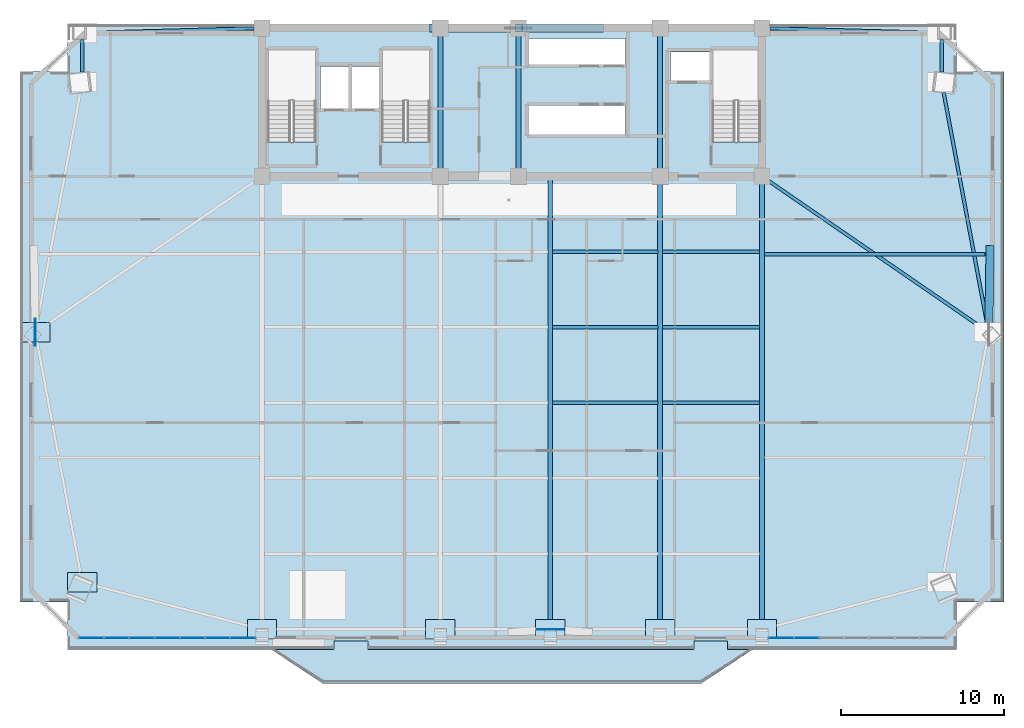
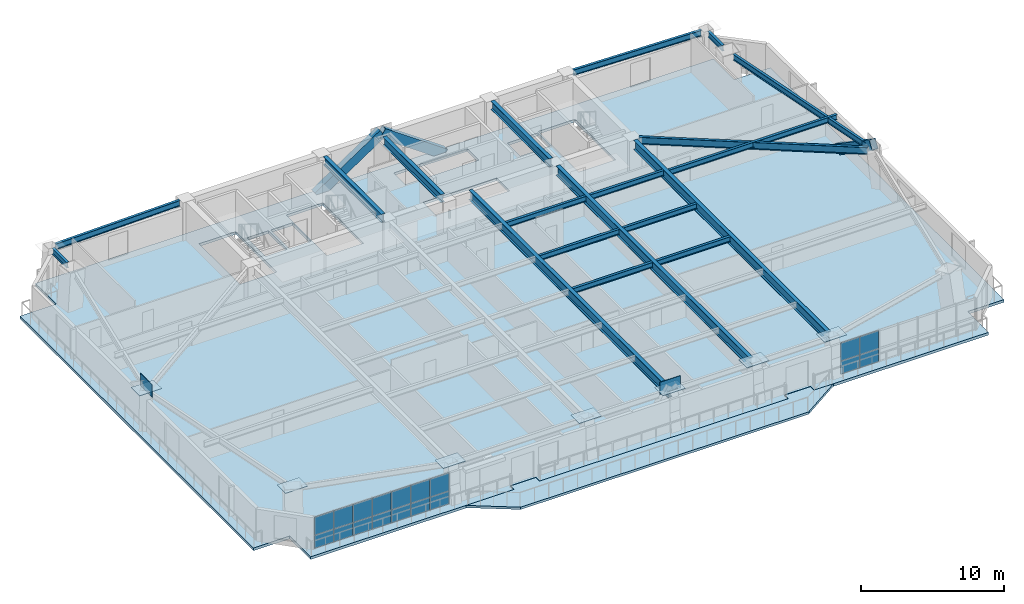
# One storey, part 6 of 16: 27 plates, 19 beams, 3 members, 2 slabs, 2 elements without a shape of their own.
"""IFC4 building model written with IfcOpenShell, lengths in metres."""

import ifcopenshell
import ifcopenshell.guid

model = None  # the IFC model being written
_history = None  # IfcOwnerHistory: only IFC2X3 demands one
_inside = {}  # id of a spatial element -> (the spatial element, [elements in it])
_under = {}  # id of a project, library or spatial element -> (it, [spatial elements below it])
_declared = {}  # id of a project -> (the project, [libraries it declares])
_typed = {}  # id of a type object -> (the type object, [elements of that type])
_made_of = {}  # id of a material, layer set ... -> (it, [elements and type objects made of it])


def new_model(schema):
    """Start an empty IFC model of exactly this schema.

    Asked for "IFC4X3", IfcOpenShell would pick the latest addendum, in which some entities
    have other attributes; the version numbers below select the first issue.
    IFC2X3 requires an IfcOwnerHistory on every rooted entity: one is made here for all.
    """
    global model, _history
    if schema == "IFC4X3":
        model = ifcopenshell.file(schema_version=(4, 3, 0, 0))
    else:
        model = ifcopenshell.file(schema=schema)
    _inside.clear()
    _under.clear()
    _declared.clear()
    _typed.clear()
    _made_of.clear()
    _history = None
    if model.schema == "IFC2X3":
        org = make("IfcOrganization", Name="unknown")
        user = make(
            "IfcPersonAndOrganization",
            ThePerson=make("IfcPerson", FamilyName="unknown"),
            TheOrganization=org,
        )
        app = make(
            "IfcApplication",
            ApplicationDeveloper=org,
            Version="unknown",
            ApplicationFullName="unknown",
            ApplicationIdentifier="unknown",
        )
        _history = make(
            "IfcOwnerHistory",
            OwningUser=user,
            OwningApplication=app,
            ChangeAction="ADDED",
            CreationDate=0,
        )
    return model


def make(cls, **values):
    """One entity of the class cls with the attributes given. An attribute that is None is left unset."""
    return model.create_entity(
        cls, **{name: value for name, value in values.items() if value is not None}
    )


def rooted(cls, **values):
    """An entity with a GlobalId (a new one), such as an element, a storey or a relation."""
    return make(cls, GlobalId=ifcopenshell.guid.new(), OwnerHistory=_history, **values)


def si_unit(unit_type, name, prefix=None):
    """IfcSIUnit, for example si_unit("LENGTHUNIT", "METRE", prefix="MILLI")."""
    return make("IfcSIUnit", UnitType=unit_type, Prefix=prefix, Name=name)


def assignment(units):
    """IfcUnitAssignment: the units of a project."""
    return None if units is None else make("IfcUnitAssignment", Units=units)


def point(xyz):
    """IfcCartesianPoint."""
    return None if xyz is None else make("IfcCartesianPoint", Coordinates=xyz)


def direction(xyz):
    """IfcDirection."""
    return None if xyz is None else make("IfcDirection", DirectionRatios=xyz)


def frame(location, z_axis=None, x_axis=None):
    """IfcAxis2Placement3D, a coordinate frame: its origin and axes. An axis left out is left unset."""
    return make(
        "IfcAxis2Placement3D",
        Location=point(location),
        Axis=direction(z_axis),
        RefDirection=direction(x_axis),
    )


def frame_2d(location, x_axis=None):
    """IfcAxis2Placement2D, a coordinate frame in the plane: its origin and x axis."""
    return make(
        "IfcAxis2Placement2D", Location=point(location), RefDirection=direction(x_axis)
    )


def origin():
    """The frame at (0, 0, 0) with its axes left unset."""
    return frame((0.0, 0.0, 0.0))


def origin_2d():
    """The frame at (0, 0) in the plane with its x axis left unset."""
    return frame_2d((0.0, 0.0))


def place(relative_to, where):
    """IfcLocalPlacement: puts the frame where relative to a parent placement (None: the world)."""
    return make(
        "IfcLocalPlacement", PlacementRelTo=relative_to, RelativePlacement=where
    )


def context(
    kind, dimensions, precision=None, world=None, true_north=None, identifier=None
):
    """IfcGeometricRepresentationContext, for example the 3D "Model" context."""
    return make(
        "IfcGeometricRepresentationContext",
        ContextIdentifier=identifier,
        ContextType=kind,
        CoordinateSpaceDimension=dimensions,
        Precision=precision,
        WorldCoordinateSystem=world,
        TrueNorth=true_north,
    )


def subcontext(parent, identifier, kind, view, scale=None):
    """IfcGeometricRepresentationSubContext, for example "Body" below "Model"."""
    return make(
        "IfcGeometricRepresentationSubContext",
        ContextIdentifier=identifier,
        ContextType=kind,
        ParentContext=parent,
        TargetScale=scale,
        TargetView=view,
    )


def project(units=None, contexts=None):
    """IfcProject with its units and contexts."""
    return rooted(
        "IfcProject",
        Name="project",
        RepresentationContexts=contexts,
        UnitsInContext=assignment(units),
    )


def spatial(cls, under=None, at=None, **own):
    """A site, building, storey or space (cls), placed at a placement, below another one or the project."""
    s = rooted(cls, ObjectPlacement=at, **own)
    if under is not None:
        _under.setdefault(under.id(), (under, []))[1].append(s)
    return s


def polyline(points):
    """IfcPolyline through the points."""
    return make("IfcPolyline", Points=[point(p) for p in points])


def profile(cls, at=None, kind="AREA", **sizes):
    """A parametric profile (cls). Its sizes go by their IFC names, for example OverallWidth=200.0."""
    return make(cls, ProfileType=kind, Position=at, **sizes)


def rectangle(**sizes):
    """IfcRectangleProfileDef."""
    return profile("IfcRectangleProfileDef", **sizes)


def hollow_rectangle(**sizes):
    """IfcRectangleHollowProfileDef."""
    return profile("IfcRectangleHollowProfileDef", **sizes)


def i_section(**sizes):
    """IfcIShapeProfileDef."""
    return profile("IfcIShapeProfileDef", **sizes)


def outline(outer, holes=None, kind="AREA"):
    """IfcArbitraryClosedProfileDef: a profile drawn as a closed curve; with holes, ...WithVoids."""
    if holes is None:
        return make("IfcArbitraryClosedProfileDef", ProfileType=kind, OuterCurve=outer)
    return make(
        "IfcArbitraryProfileDefWithVoids",
        ProfileType=kind,
        OuterCurve=outer,
        InnerCurves=holes,
    )


def extrude(swept, where, along, depth):
    """IfcExtrudedAreaSolid: the profile swept, set in the frame where, extruded along a direction by depth."""
    return make(
        "IfcExtrudedAreaSolid",
        SweptArea=swept,
        Position=where,
        ExtrudedDirection=direction(along),
        Depth=depth,
    )


def shape(context_of_items, identifier, shape_type, items):
    """IfcShapeRepresentation: the items that make up one representation, for example the "Body"."""
    return make(
        "IfcShapeRepresentation",
        ContextOfItems=context_of_items,
        RepresentationIdentifier=identifier,
        RepresentationType=shape_type,
        Items=items,
    )


def source(mapping_origin, context_of_items, identifier, shape_type, items):
    """IfcRepresentationMap: a shape defined once, which mapped items show again and again."""
    return make(
        "IfcRepresentationMap",
        MappingOrigin=mapping_origin,
        MappedRepresentation=shape(context_of_items, identifier, shape_type, items),
    )


def transform(
    local_origin,
    x_axis=None,
    y_axis=None,
    z_axis=None,
    scale=None,
    scale2=None,
    scale3=None,
    uniform=True,
):
    """IfcCartesianTransformationOperator3D, or its non-uniform kind. x_axis, y_axis, z_axis: its Axis1, 2, 3."""
    if uniform:
        return make(
            "IfcCartesianTransformationOperator3D",
            Axis1=direction(x_axis),
            Axis2=direction(y_axis),
            LocalOrigin=point(local_origin),
            Scale=scale,
            Axis3=direction(z_axis),
        )
    return make(
        "IfcCartesianTransformationOperator3DnonUniform",
        Axis1=direction(x_axis),
        Axis2=direction(y_axis),
        LocalOrigin=point(local_origin),
        Scale=scale,
        Axis3=direction(z_axis),
        Scale2=scale2,
        Scale3=scale3,
    )


def mapped(mapping_source, mapping_target):
    """IfcMappedItem: shows the shape of a source again, moved by a transform."""
    return make(
        "IfcMappedItem", MappingSource=mapping_source, MappingTarget=mapping_target
    )


def material(Name=None, Category=None):
    """IfcMaterial."""
    return make("IfcMaterial", Name=Name, Category=Category)


def layer(
    of_material, thickness, ventilated=None, Name=None, Category=None, Priority=None
):
    """IfcMaterialLayer: one layer of a wall or slab, of a material (None: an air gap)."""
    return make(
        "IfcMaterialLayer",
        Material=of_material,
        LayerThickness=thickness,
        IsVentilated=ventilated,
        Name=Name,
        Category=Category,
        Priority=Priority,
    )


def layer_set(layers, Name=None):
    """IfcMaterialLayerSet."""
    return make("IfcMaterialLayerSet", MaterialLayers=layers, LayerSetName=Name)


def material_profile(
    of_material, cross_section, Name=None, Category=None, Priority=None
):
    """IfcMaterialProfile: a cross section and its material."""
    return make(
        "IfcMaterialProfile",
        Name=Name,
        Material=of_material,
        Profile=cross_section,
        Priority=Priority,
        Category=Category,
    )


def profile_set(profiles, Name=None, composite=None):
    """IfcMaterialProfileSet."""
    return make(
        "IfcMaterialProfileSet",
        Name=Name,
        MaterialProfiles=profiles,
        CompositeProfile=composite,
    )


def made_of(thing, what):
    """Note that an element or type object is made of a material, layer set ...; save() writes the relation."""
    if what is not None:
        _made_of.setdefault(what.id(), (what, []))[1].append(thing)
    return thing


def type_object(cls, material=None, **own):
    """A type object (cls), such as IfcWallType, which elements share."""
    return made_of(rooted(cls, **own), material)


def element(
    cls,
    number,
    at=None,
    inside=None,
    cuts=None,
    type_object=None,
    material=None,
    context=None,
    identifier="Body",
    shape_type=None,
    held_by="IfcProductDefinitionShape",
    body=None,
    shapes=None,
    **own,
):
    """One element of the class cls, such as IfcWall. Its Tag is "e" and its number.

    at: its placement. inside: the storey or other place that contains it. cuts: it is an
    opening in that element (IfcRelVoidsElement). A single representation is given by context,
    identifier, shape_type and body (its items); several are given by shapes. held_by: the class
    of the entity that holds the representations. save() writes the other relations.
    """
    e = rooted(cls, Tag="e%d" % number, ObjectPlacement=at, **own)
    if body is not None:
        shapes = [shape(context, identifier, shape_type, body)]
    if shapes is not None:
        e.Representation = make(held_by, Representations=shapes)
    if inside is not None:
        _inside.setdefault(inside.id(), (inside, []))[1].append(e)
    if cuts is not None:
        rooted(
            "IfcRelVoidsElement", RelatingBuildingElement=cuts, RelatedOpeningElement=e
        )
    if type_object is not None:
        _typed.setdefault(type_object.id(), (type_object, []))[1].append(e)
    return made_of(e, material)


def aggregate(whole, parts):
    """IfcRelAggregates: a whole, such as a stair, and the parts it consists of."""
    return rooted("IfcRelAggregates", RelatingObject=whole, RelatedObjects=parts)


def save(model, path):
    """Write the relations noted so far, then the file.

    IfcRelAggregates (storeys below a building ...), IfcRelContainedInSpatialStructure (elements
    in a storey), IfcRelDefinesByType, IfcRelAssociatesMaterial and IfcRelDeclares: one each for
    every whole, place, type object, material and project.
    """
    for whole, parts in _under.values():
        aggregate(whole, parts)
    for where, things in _inside.values():
        rooted(
            "IfcRelContainedInSpatialStructure",
            RelatedElements=things,
            RelatingStructure=where,
        )
    for kind, things in _typed.values():
        rooted("IfcRelDefinesByType", RelatedObjects=things, RelatingType=kind)
    for what, things in _made_of.values():
        rooted("IfcRelAssociatesMaterial", RelatedObjects=things, RelatingMaterial=what)
    for by, libraries in _declared.values():
        rooted("IfcRelDeclares", RelatingContext=by, RelatedDefinitions=libraries)
    model.write(path)


model = new_model("IFC4")

# Units and contexts
model_context = context("Model", 3, precision=1e-05, world=origin(), true_north=direction((0.0, 1.0)))
body_context = subcontext(model_context, "Body", "Model", "MODEL_VIEW")
ifc_project = project(units=[si_unit("LENGTHUNIT", "METRE"), si_unit("AREAUNIT", "SQUARE_METRE"), si_unit("VOLUMEUNIT", "CUBIC_METRE"), si_unit("PLANEANGLEUNIT", "RADIAN"), si_unit("MASSUNIT", "GRAM", prefix="KILO")], contexts=[model_context])

# Site, building, storey
site_placement = place(None, origin())
site = spatial("IfcSite", under=ifc_project, at=site_placement, CompositionType="ELEMENT")
building_placement = place(site_placement, origin())
building = spatial("IfcBuilding", under=site, at=building_placement, Name="Giltprow Tower", CompositionType="ELEMENT")
storey_placement = place(building_placement, frame((0.0, 0.0, 166.699951171875)))
storey = spatial("IfcBuildingStorey", under=building, at=storey_placement, Name="L41", CompositionType="ELEMENT", Elevation=166.699951171875)

# Beams
ifc_material_1 = material(Name="Structural steel Q355B", Category="steel")
ifc_material_profile_1 = material_profile(ifc_material_1, i_section(OverallWidth=0.199951171875, OverallDepth=0.449951171875, WebThickness=0.009033203125, FlangeThickness=0.013916015625, at=origin_2d()), Name="HN 450x200x9x14")
ifc_profile_set_1 = profile_set([ifc_material_profile_1], Name="Structural steel Q355B")
beam_type_1 = type_object("IfcBeamType", Name="BM-JOIST-HN450", PredefinedType="JOIST", material=ifc_profile_set_1)
shared_shape_1 = source(origin(), body_context, "Body", "SweptSolid", [
    extrude(i_section(OverallWidth=0.199951171875, OverallDepth=0.449951171875, WebThickness=0.009033203125, FlangeThickness=0.013916015625, at=origin_2d()), origin(), (0.0, 0.0, 1.0), 6.4599609375),
])
for number, where, z_axis, x_axis, name in (
    (1, (37.695068359375, 23.5380859375, 3.045166015625), (1.0, 0.0, 0.0), (0.0, 1.0, 0.0), "L41 Composite Floor Joist 3-3"),
    (2, (37.695068359375, 28.175048828125, 3.045166015625), (1.0, 0.0, 0.0), (0.0, 1.0, 0.0), "L41 Composite Floor Joist 4-3"),
    (3, (37.695068359375, 32.81298828125, 3.045166015625), (1.0, 0.0, 0.0), (0.0, 1.0, 0.0), "L41 Composite Floor Joist 5-3"),
):
    element("IfcBeam", number, at=place(storey_placement, frame(where, z_axis=z_axis, x_axis=x_axis)), inside=storey, type_object=beam_type_1, Name=name, PredefinedType="JOIST", context=body_context, shape_type="MappedRepresentation", body=[
        mapped(shared_shape_1, transform((0.0, 0.0, 0.0), x_axis=(1.0, 0.0, 0.0), y_axis=(0.0, 1.0, 0.0), z_axis=(0.0, 0.0, 1.0), scale=1.0)),
    ])
shared_shape_2 = source(origin(), body_context, "Body", "SweptSolid", [
    extrude(i_section(OverallWidth=0.199951171875, OverallDepth=0.449951171875, WebThickness=0.009033203125, FlangeThickness=0.013916015625, at=origin_2d()), origin(), (0.0, 0.0, 1.0), 5.9599609375),
])
for number, where, z_axis, x_axis, name in (
    (4, (44.445068359375, 23.5380859375, 3.045166015625), (1.0, 0.0, 0.0), (0.0, 1.0, 0.0), "L41 Composite Floor Joist 3-4"),
    (5, (44.445068359375, 28.175048828125, 3.045166015625), (1.0, 0.0, 0.0), (0.0, 1.0, 0.0), "L41 Composite Floor Joist 4-4"),
    (6, (44.445068359375, 32.81298828125, 3.045166015625), (1.0, 0.0, 0.0), (0.0, 1.0, 0.0), "L41 Composite Floor Joist 5-4"),
):
    element("IfcBeam", number, at=place(storey_placement, frame(where, z_axis=z_axis, x_axis=x_axis)), inside=storey, type_object=beam_type_1, Name=name, PredefinedType="JOIST", context=body_context, shape_type="MappedRepresentation", body=[
        mapped(shared_shape_2, transform((0.0, 0.0, 0.0), x_axis=(1.0, 0.0, 0.0), y_axis=(0.0, 1.0, 0.0), z_axis=(0.0, 0.0, 1.0), scale=1.0)),
    ])
ifc_material_profile_2 = material_profile(ifc_material_1, i_section(OverallWidth=0.300048828125, OverallDepth=0.699951171875, WebThickness=0.012939453125, FlangeThickness=0.02392578125, at=origin_2d()), Name="HN 700x300x13x24")
ifc_profile_set_2 = profile_set([ifc_material_profile_2], Name="Structural steel Q355B")
beam_type_2 = type_object("IfcBeamType", Name="BM-GIRD-HN700", PredefinedType="BEAM", material=ifc_profile_set_2)
shared_shape_3 = source(origin(), body_context, "Body", "SweptSolid", [
    extrude(i_section(OverallWidth=0.300048828125, OverallDepth=0.699951171875, WebThickness=0.012939453125, FlangeThickness=0.02392578125, at=origin_2d()), origin(), (0.0, 0.0, 1.0), 8.1298828125),
])
for number, where, z_axis, x_axis, name in (
    (7, (30.800048828125, 37.93505859375, 2.920166015625), (0.0, 1.0, 0.0), (-1.0, 0.0, 0.0), "L41 Core Tie Girder M1"),
    (8, (35.60009765625, 37.93505859375, 2.920166015625), (0.0, 1.0, 0.0), (-1.0, 0.0, 0.0), "L41 Core Tie Girder M2"),
    (9, (44.300048828125, 37.93505859375, 2.920166015625), (0.0, 1.0, 0.0), (-1.0, 0.0, 0.0), "L41 Core Tie Girder M3"),
):
    element("IfcBeam", number, at=place(storey_placement, frame(where, z_axis=z_axis, x_axis=x_axis)), inside=storey, type_object=beam_type_2, Name=name, PredefinedType="BEAM", context=body_context, shape_type="MappedRepresentation", body=[
        mapped(shared_shape_3, transform((0.0, 0.0, 0.0), x_axis=(1.0, 0.0, 0.0), y_axis=(0.0, 1.0, 0.0), z_axis=(0.0, 0.0, 1.0), scale=1.0)),
    ])
ifc_material_profile_3 = material_profile(ifc_material_1, i_section(OverallWidth=0.199951171875, OverallDepth=0.5, WebThickness=0.010009765625, FlangeThickness=0.01611328125, at=origin_2d()), Name="HN 500x200x10x16")
ifc_profile_set_3 = profile_set([ifc_material_profile_3], Name="Structural steel Q355B")
beam_type_3 = type_object("IfcBeamType", Name="BM-SPAN-HN500", PredefinedType="SPANDREL", material=ifc_profile_set_3)
shared_shape_4 = source(origin(), body_context, "Body", "SweptSolid", [
    extrude(i_section(OverallWidth=0.199951171875, OverallDepth=0.5, WebThickness=0.010009765625, FlangeThickness=0.01611328125, at=origin_2d()), origin(), (0.0, 0.0, 1.0), 14.599853515625),
])
beam_1_placement = place(storey_placement, frame((64.409912109375, 28.240966796875, 3.02001953125), z_axis=(-0.184863999795, 0.982764112888, 0.0), x_axis=(-0.982764112888, -0.184863999795, 0.0)))
element("IfcBeam", 10, at=beam_1_placement, inside=storey, type_object=beam_type_3, Name="L41 Perimeter Spandrel Beam E_MID-MC_NE", PredefinedType="SPANDREL", context=body_context, shape_type="MappedRepresentation", body=[
    mapped(shared_shape_4, transform((0.0, 0.0, 0.0), x_axis=(1.0, 0.0, 0.0), y_axis=(0.0, 1.0, 0.0), z_axis=(0.0, 0.0, 1.0), scale=1.0)),
])
shared_shape_5 = source(origin(), body_context, "Body", "SweptSolid", [
    extrude(i_section(OverallWidth=0.199951171875, OverallDepth=0.5, WebThickness=0.010009765625, FlangeThickness=0.01611328125, at=origin_2d()), origin(), (0.0, 0.0, 1.0), 2.01708984375),
])
for number, where, z_axis, x_axis, name in (
    (11, (61.593994140625, 43.847900390625, 3.02001953125), (0.0, 1.0, 0.0), (-1.0, 0.0, 0.0), "L41 Perimeter Spandrel Beam MC_NE-N_E"),
    (12, (8.805908203125, 45.864990234375, 3.02001953125), (0.0, -1.0, 0.0), (1.0, 0.0, 0.0), "L41 Perimeter Spandrel Beam N_W-MC_NW"),
):
    element("IfcBeam", number, at=place(storey_placement, frame(where, z_axis=z_axis, x_axis=x_axis)), inside=storey, type_object=beam_type_3, Name=name, PredefinedType="SPANDREL", context=body_context, shape_type="MappedRepresentation", body=[
        mapped(shared_shape_5, transform((0.0, 0.0, 0.0), x_axis=(1.0, 0.0, 0.0), y_axis=(0.0, 1.0, 0.0), z_axis=(0.0, 0.0, 1.0), scale=1.0)),
    ])
shared_shape_6 = source(origin(), body_context, "Body", "SweptSolid", [
    extrude(i_section(OverallWidth=0.199951171875, OverallDepth=0.5, WebThickness=0.010009765625, FlangeThickness=0.01611328125, at=origin_2d()), origin(), (0.0, 0.0, 1.0), 10.177734375),
])
for number, where, z_axis, x_axis, name in (
    (13, (9.19091796875, 46.260009765625, 3.02001953125), (0.999629310179, 0.027225764093, 0.0), (-0.027225764093, 0.999629310179, 0.0), "L41 North Wing Spandrel W"),
    (14, (51.034912109375, 46.537109375, 3.02001953125), (0.999629310179, -0.027225764093, 0.0), (0.027225764093, 0.999629310179, 0.0), "L41 North Wing Spandrel E"),
):
    element("IfcBeam", number, at=place(storey_placement, frame(where, z_axis=z_axis, x_axis=x_axis)), inside=storey, type_object=beam_type_3, Name=name, PredefinedType="SPANDREL", context=body_context, shape_type="MappedRepresentation", body=[
        mapped(shared_shape_6, transform((0.0, 0.0, 0.0), x_axis=(1.0, 0.0, 0.0), y_axis=(0.0, 1.0, 0.0), z_axis=(0.0, 0.0, 1.0), scale=1.0)),
    ])
ifc_material_profile_4 = material_profile(ifc_material_1, i_section(OverallWidth=0.300048828125, OverallDepth=0.800048828125, WebThickness=0.013916015625, FlangeThickness=0.02587890625, at=origin_2d()), Name="HN 800x300x14x26")
ifc_profile_set_4 = profile_set([ifc_material_profile_4], Name="Structural steel Q355B")
beam_type_4 = type_object("IfcBeamType", Name="BM-GIRD-HN800", PredefinedType="BEAM", material=ifc_profile_set_4)
shared_shape_7 = source(origin(), body_context, "Body", "SweptSolid", [
    extrude(i_section(OverallWidth=0.300048828125, OverallDepth=0.800048828125, WebThickness=0.013916015625, FlangeThickness=0.02587890625, at=origin_2d()), origin(), (0.0, 0.0, 1.0), 26.9541015625),
])
for number, where, z_axis, x_axis, name in (
    (15, (44.300048828125, 10.010986328125, 2.8701171875), (0.0, 1.0, 0.0), (-1.0, 0.0, 0.0), "L41 Primary Lease Girder S3"),
    (16, (50.550048828125, 10.010986328125, 2.8701171875), (0.0, 1.0, 0.0), (-1.0, 0.0, 0.0), "L41 Primary Lease Girder S4"),
):
    element("IfcBeam", number, at=place(storey_placement, frame(where, z_axis=z_axis, x_axis=x_axis)), inside=storey, type_object=beam_type_4, Name=name, PredefinedType="BEAM", context=body_context, shape_type="MappedRepresentation", body=[
        mapped(shared_shape_7, transform((0.0, 0.0, 0.0), x_axis=(1.0, 0.0, 0.0), y_axis=(0.0, 1.0, 0.0), z_axis=(0.0, 0.0, 1.0), scale=1.0)),
    ])
shared_shape_8 = source(origin(), body_context, "Body", "SweptSolid", [
    extrude(i_section(OverallWidth=0.300048828125, OverallDepth=0.800048828125, WebThickness=0.013916015625, FlangeThickness=0.02587890625, at=origin_2d()), origin(), (0.0, 0.0, 1.0), 27.823974609375),
])
beam_2_placement = place(storey_placement, frame((37.550048828125, 9.6259765625, 2.8701171875), z_axis=(0.0, 1.0, 0.0), x_axis=(-1.0, 0.0, 0.0)))
element("IfcBeam", 17, at=beam_2_placement, inside=storey, type_object=beam_type_4, Name="L41 Central Lease Girder SMID", PredefinedType="BEAM", context=body_context, shape_type="MappedRepresentation", body=[
    mapped(shared_shape_8, transform((0.0, 0.0, 0.0), x_axis=(1.0, 0.0, 0.0), y_axis=(0.0, 1.0, 0.0), z_axis=(0.0, 0.0, 1.0), scale=1.0)),
])
ifc_material_profile_5 = material_profile(ifc_material_1, i_section(OverallWidth=0.199951171875, OverallDepth=0.60009765625, WebThickness=0.010986328125, FlangeThickness=0.01708984375, at=origin_2d()), Name="HN 600x200x11x17")
ifc_profile_set_5 = profile_set([ifc_material_profile_5], Name="Structural steel Q355B")
beam_type_5 = type_object("IfcBeamType", Name="BM-GIRD-HN600", PredefinedType="BEAM", material=ifc_profile_set_5)
shared_shape_9 = source(origin(), body_context, "Body", "SweptSolid", [
    extrude(i_section(OverallWidth=0.199951171875, OverallDepth=0.60009765625, WebThickness=0.010986328125, FlangeThickness=0.01708984375, at=origin_2d()), origin(), (0.0, 0.0, 1.0), 16.041015625),
])
beam_3_placement = place(storey_placement, frame((64.1640625, 28.0810546875, 2.969970703125), z_axis=(-0.823771386263, 0.566922131491, 0.0), x_axis=(-0.566922131491, -0.823771386263, 0.0)))
element("IfcBeam", 18, at=beam_3_placement, inside=storey, type_object=beam_type_5, Name="L41 East Wing Primary Girder", PredefinedType="BEAM", context=body_context, shape_type="MappedRepresentation", body=[
    mapped(shared_shape_9, transform((0.0, 0.0, 0.0), x_axis=(1.0, 0.0, 0.0), y_axis=(0.0, 1.0, 0.0), z_axis=(0.0, 0.0, 1.0), scale=1.0)),
])
shared_shape_10 = source(origin(), body_context, "Body", "SweptSolid", [
    extrude(i_section(OverallWidth=0.199951171875, OverallDepth=0.449951171875, WebThickness=0.009033203125, FlangeThickness=0.013916015625, at=origin_2d()), origin(), (0.0, 0.0, 1.0), 13.56591796875),
])
beam_4_placement = place(storey_placement, frame((50.695068359375, 32.656982421875, 3.045166015625), z_axis=(1.0, 0.0, 0.0), x_axis=(0.0, 1.0, 0.0)))
element("IfcBeam", 19, at=beam_4_placement, inside=storey, type_object=beam_type_1, Name="L41 East Wing Floor Joist 2", PredefinedType="JOIST", context=body_context, shape_type="MappedRepresentation", body=[
    mapped(shared_shape_10, transform((0.0, 0.0, 0.0), x_axis=(1.0, 0.0, 0.0), y_axis=(0.0, 1.0, 0.0), z_axis=(0.0, 0.0, 1.0), scale=1.0)),
])

# Members
ifc_material_2 = material(Name="Structural steel Q420GJC", Category="steel")
ifc_material_profile_6 = material_profile(ifc_material_2, hollow_rectangle(XDim=0.5, YDim=0.800048828125, WallThickness=0.035888671875, at=origin_2d()), Name="RHS 800x500x36")
ifc_profile_set_6 = profile_set([ifc_material_profile_6], Name="Structural steel Q420GJC")
member_type = type_object("IfcMemberType", Name="MBR-MEGA-RHS800", PredefinedType="BRACE", material=ifc_profile_set_6)
shared_shape_11 = source(origin(), body_context, "Body", "SweptSolid", [
    extrude(hollow_rectangle(XDim=0.5, YDim=0.800048828125, WallThickness=0.035888671875, at=origin_2d()), origin(), (0.0, 0.0, 1.0), 6.309814453125),
])
member_1_placement = place(storey_placement, frame((30.35009765625, 46.550048828125, -0.139892578125), z_axis=(0.832050294338, 0.0, 0.554700196225), x_axis=(0.0, 1.0, 0.0)))
element("IfcMember", 20, at=member_1_placement, inside=storey, type_object=member_type, Name="L41 Chevron Mega-Brace N-L", PredefinedType="BRACE", context=body_context, shape_type="MappedRepresentation", body=[
    mapped(shared_shape_11, transform((0.0, 0.0, 0.0), x_axis=(1.0, 0.0, 0.0), y_axis=(0.0, 1.0, 0.0), z_axis=(0.0, 0.0, 1.0), scale=1.0)),
])
shared_shape_12 = source(origin(), body_context, "Body", "SweptSolid", [
    extrude(hollow_rectangle(XDim=0.5, YDim=0.800048828125, WallThickness=0.035888671875, at=origin_2d()), origin(), (0.0, 0.0, 1.0), 6.08935546875),
])
member_2_placement = place(storey_placement, frame((40.5830078125, 46.550048828125, -0.139892578125), z_axis=(-0.818307902219, 0.0, 0.574780112014), x_axis=(0.0, -1.0, 0.0)))
element("IfcMember", 21, at=member_2_placement, inside=storey, type_object=member_type, Name="L41 Chevron Mega-Brace N-R", PredefinedType="BRACE", context=body_context, shape_type="MappedRepresentation", body=[
    mapped(shared_shape_12, transform((0.0, 0.0, 0.0), x_axis=(1.0, 0.0, 0.0), y_axis=(0.0, 1.0, 0.0), z_axis=(0.0, 0.0, 1.0), scale=1.0)),
])
shared_shape_13 = source(origin(), body_context, "Body", "SweptSolid", [
    extrude(hollow_rectangle(XDim=0.5, YDim=0.800048828125, WallThickness=0.035888671875, at=origin_2d()), origin(), (0.0, 0.0, 1.0), 6.1923828125),
])
member_3_placement = place(storey_placement, frame((64.55908203125, 32.970947265625, 0.0), z_axis=(-0.012616101805, -0.824856506111, 0.565201360845), x_axis=(0.99988305346, -0.015293116199, 0.0)))
element("IfcMember", 22, at=member_3_placement, inside=storey, type_object=member_type, Name="L41 Chevron Mega-Brace E-R", PredefinedType="BRACE", context=body_context, shape_type="MappedRepresentation", body=[
    mapped(shared_shape_13, transform((0.0, 0.0, 0.0), x_axis=(1.0, 0.0, 0.0), y_axis=(0.0, 1.0, 0.0), z_axis=(0.0, 0.0, 1.0), scale=1.0)),
])

# Slabs
ifc_material_3 = material(Name="Concrete C40", Category="concrete")
ifc_layer_1 = layer(ifc_material_3, 0.199951171875, Name="Concrete C40")
ifc_layer_set_1 = layer_set([ifc_layer_1], Name="Concrete C40")
slab_type_1 = type_object("IfcSlabType", Name="SLB-BALC-BRONZE-200", PredefinedType="FLOOR", material=ifc_layer_set_1)
slab_1_placement = place(storey_placement, frame((0.0, 0.0, -0.199951171875)))
element("IfcSlab", 23, at=slab_1_placement, inside=storey, type_object=slab_type_1, Name="L41 Bronze Prow Waterfront Balcony Slab", PredefinedType="FLOOR", context=body_context, shape_type="SweptSolid", body=[
    extrude(outline(polyline([(50.0, 8.39794921875), (46.800048828125, 6.298095703125), (23.60009765625, 6.298095703125), (20.39990234375, 8.39794921875), (24.280029296875, 8.39794921875), (24.280029296875, 8.89794921875), (26.320068359375, 8.89794921875), (26.320068359375, 8.39794921875), (46.3798828125, 8.39794921875), (46.3798828125, 8.89794921875), (48.419921875, 8.89794921875), (48.419921875, 8.39794921875), (50.0, 8.39794921875)])), origin(), (0.0, 0.0, 1.0), 0.199951171875),
])
ifc_layer_2 = layer(ifc_material_3, 0.22998046875, Name="Concrete C40")
ifc_layer_set_2 = layer_set([ifc_layer_2], Name="Concrete C40")
slab_type_2 = type_object("IfcSlabType", Name="SLB-HTL-230", PredefinedType="FLOOR", material=ifc_layer_set_2)
slab_2_placement = place(storey_placement, frame((0.0, 0.0, -0.22998046875)))
element("IfcSlab", 24, at=slab_2_placement, inside=storey, type_object=slab_type_2, Name="L41 Structural Composite Floor Slab", PredefinedType="FLOOR", context=body_context, shape_type="SweptSolid", body=[
    extrude(outline(polyline([(7.89697265625, 8.39794921875), (7.89697265625, 11.31103515625), (4.98388671875, 11.31103515625), (4.98388671875, 43.886962890625), (7.89697265625, 43.886962890625), (7.89697265625, 46.800048828125), (62.5029296875, 46.800048828125), (62.5029296875, 43.886962890625), (65.416015625, 43.886962890625), (65.416015625, 11.31103515625), (62.5029296875, 11.31103515625), (62.5029296875, 8.39794921875), (48.449951171875, 8.39794921875), (48.449951171875, 8.91796875), (46.35009765625, 8.91796875), (46.35009765625, 8.39794921875), (26.35009765625, 8.39794921875), (26.35009765625, 8.91796875), (24.25, 8.91796875), (24.25, 8.39794921875), (7.89697265625, 8.39794921875)]), holes=[polyline([(42.169921875, 41.800048828125), (36.239990234375, 41.800048828125), (36.239990234375, 40.0), (42.169921875, 40.0), (42.169921875, 41.800048828125)]), polyline([(23.159912109375, 39.570068359375), (23.159912109375, 45.25), (20.199951171875, 45.25), (20.199951171875, 39.570068359375), (23.159912109375, 39.570068359375)]), polyline([(30.159912109375, 39.570068359375), (30.159912109375, 45.25), (27.199951171875, 45.25), (27.199951171875, 39.570068359375), (30.159912109375, 39.570068359375)]), polyline([(50.4599609375, 45.25), (47.5, 45.25), (47.5, 39.570068359375), (50.4599609375, 39.570068359375), (50.4599609375, 45.25)]), polyline([(25.169921875, 44.199951171875), (23.449951171875, 44.199951171875), (23.449951171875, 41.60009765625), (25.169921875, 41.60009765625), (25.169921875, 44.199951171875)]), polyline([(27.10009765625, 44.199951171875), (25.35009765625, 44.199951171875), (25.35009765625, 41.60009765625), (27.10009765625, 41.60009765625), (27.10009765625, 44.199951171875)]), polyline([(47.3798828125, 43.300048828125), (47.3798828125, 45.10009765625), (44.919921875, 45.10009765625), (44.919921875, 43.300048828125), (47.3798828125, 43.300048828125)]), polyline([(42.169921875, 44.300048828125), (42.169921875, 45.919921875), (36.239990234375, 45.919921875), (36.239990234375, 44.300048828125), (42.169921875, 44.300048828125)])]), origin(), (0.0, 0.0, 1.0), 0.22998046875),
])

# Plates
plate_type_1 = type_object("IfcPlateType", Name="PLT-NODE-CKN1", PredefinedType="USERDEFINED", material=ifc_material_2)
shared_shape_14 = source(origin(), body_context, "Body", "SweptSolid", [
    extrude(rectangle(XDim=1.800048828125, YDim=1.199951171875, at=origin_2d()), origin(), (0.0, 0.0, 1.0), 0.044921875),
])
for number, where, z_axis, x_axis, name in (
    (25, (8.805908203125, 12.512939453125, 3.2275390625), (0.0, 0.0, 1.0), (1.0, 0.0, 0.0), "CKN1 Column Taper Splice Node L41-MC_SW"),
    (26, (19.85009765625, 9.6259765625, 3.2275390625), (0.0, 0.0, 1.0), (1.0, 0.0, 0.0), "CKN1 Column Taper Splice Node L41-S1"),
    (27, (30.800048828125, 9.6259765625, 3.2275390625), (0.0, 0.0, 1.0), (1.0, 0.0, 0.0), "CKN1 Column Taper Splice Node L41-S2"),
    (28, (37.550048828125, 9.6259765625, 3.2275390625), (0.0, 0.0, 1.0), (1.0, 0.0, 0.0), "CKN1 Column Taper Splice Node L41-S_MID"),
    (29, (44.300048828125, 9.6259765625, 3.2275390625), (0.0, 0.0, 1.0), (1.0, 0.0, 0.0), "CKN1 Column Taper Splice Node L41-S3"),
    (30, (50.550048828125, 9.6259765625, 3.2275390625), (0.0, 0.0, 1.0), (1.0, 0.0, 0.0), "CKN1 Column Taper Splice Node L41-S4"),
    (31, (5.9189453125, 27.863037109375, 3.2275390625), (0.0, 0.0, 1.0), (1.0, 0.0, 0.0), "CKN1 Column Taper Splice Node L41-W_MID"),
):
    element("IfcPlate", number, at=place(storey_placement, frame(where, z_axis=z_axis, x_axis=x_axis)), inside=storey, type_object=plate_type_1, Name=name, ObjectType="SPLICE", PredefinedType="USERDEFINED", context=body_context, shape_type="MappedRepresentation", body=[
        mapped(shared_shape_14, transform((0.0, 0.0, 0.0), x_axis=(1.0, 0.0, 0.0), y_axis=(0.0, 1.0, 0.0), z_axis=(0.0, 0.0, 1.0), scale=1.0)),
    ])
plate_type_2 = type_object("IfcPlateType", Name="PLT-NODE-MBN2", PredefinedType="USERDEFINED", material=ifc_material_2)
shared_shape_15 = source(origin(), body_context, "Body", "SweptSolid", [
    extrude(rectangle(XDim=1.64990234375, YDim=0.044921875, at=origin_2d()), origin(), (0.0, 0.0, 1.0), 1.050048828125),
])
for number, where, z_axis, x_axis, name in (
    (32, (37.550048828125, 9.6259765625, 2.97509765625), (0.0, 0.0, 1.0), (1.0, 0.0, 0.0), "Mega-Brace Node L41-S-LB"),
    (33, (5.9189453125, 27.863037109375, 2.97509765625), (0.0, 0.0, 1.0), (0.0, 1.0, 0.0), "Mega-Brace Node L41-W-RB"),
):
    element("IfcPlate", number, at=place(storey_placement, frame(where, z_axis=z_axis, x_axis=x_axis)), inside=storey, type_object=plate_type_2, Name=name, ObjectType="GUSSET", PredefinedType="USERDEFINED", context=body_context, shape_type="MappedRepresentation", body=[
        mapped(shared_shape_15, transform((0.0, 0.0, 0.0), x_axis=(1.0, 0.0, 0.0), y_axis=(0.0, 1.0, 0.0), z_axis=(0.0, 0.0, 1.0), scale=1.0)),
    ])

# Curtain wall, plates
ifc_material_4 = material(Name="Anodized bronze", Category="metal")
ifc_layer_3 = layer(ifc_material_4, 0.179931640625, Name="Anodized bronze")
ifc_layer_set_3 = layer_set([ifc_layer_3], Name="Anodized bronze")
curtain_wall_type = type_object("IfcCurtainWallType", Name="CW-HTL-BRONZE", PredefinedType="NOTDEFINED", material=ifc_layer_set_3)
curtain_wall_1_placement = place(storey_placement, origin())
curtain_wall_1 = element("IfcCurtainWall", 34, at=curtain_wall_1_placement, inside=storey, type_object=curtain_wall_type, Name="L41 South Recessed Curtain Wall 1", PredefinedType="NOTDEFINED")
ifc_material_5 = material(Name="Insulated glass", Category="glass")
plate_type_3 = type_object("IfcPlateType", Name="CW-PANEL-IGU-28", PredefinedType="CURTAIN_PANEL", material=ifc_material_5)
shared_shape_16 = source(origin(), body_context, "Body", "SweptSolid", [
    extrude(rectangle(XDim=1.52001953125, YDim=0.028076171875, at=origin_2d()), origin(), (0.0, 0.0, 1.0), 1.0869140625),
])
plate_1_placement = place(storey_placement, frame((9.3720703125, 9.097900390625, 0.0546875), z_axis=(0.0, 0.0, 1.0), x_axis=(1.0, 0.0, 0.0)))
plate_1 = element("IfcPlate", 35, at=plate_1_placement, type_object=plate_type_3, Name="L41 South Recessed Curtain Wall 1 Glazing Panel 1-1", PredefinedType="CURTAIN_PANEL", context=body_context, shape_type="MappedRepresentation", body=[
    mapped(shared_shape_16, transform((0.0, 0.0, 0.0), x_axis=(1.0, 0.0, 0.0), y_axis=(0.0, 1.0, 0.0), z_axis=(0.0, 0.0, 1.0), scale=1.0)),
])
plate_2_placement = place(storey_placement, frame((10.923095703125, 9.097900390625, 0.0546875), z_axis=(0.0, 0.0, 1.0), x_axis=(1.0, 0.0, 0.0)))
plate_2 = element("IfcPlate", 36, at=plate_2_placement, type_object=plate_type_3, Name="L41 South Recessed Curtain Wall 1 Glazing Panel 2-1", PredefinedType="CURTAIN_PANEL", context=body_context, shape_type="MappedRepresentation", body=[
    mapped(shared_shape_16, transform((0.0, 0.0, 0.0), x_axis=(1.0, 0.0, 0.0), y_axis=(0.0, 1.0, 0.0), z_axis=(0.0, 0.0, 1.0), scale=1.0)),
])
plate_3_placement = place(storey_placement, frame((12.472900390625, 9.097900390625, 0.0546875), z_axis=(0.0, 0.0, 1.0), x_axis=(1.0, 0.0, 0.0)))
plate_3 = element("IfcPlate", 37, at=plate_3_placement, type_object=plate_type_3, Name="L41 South Recessed Curtain Wall 1 Glazing Panel 3-1", PredefinedType="CURTAIN_PANEL", context=body_context, shape_type="MappedRepresentation", body=[
    mapped(shared_shape_16, transform((0.0, 0.0, 0.0), x_axis=(1.0, 0.0, 0.0), y_axis=(0.0, 1.0, 0.0), z_axis=(0.0, 0.0, 1.0), scale=1.0)),
])
plate_4_placement = place(storey_placement, frame((14.02294921875, 9.097900390625, 0.0546875), z_axis=(0.0, 0.0, 1.0), x_axis=(1.0, 0.0, 0.0)))
plate_4 = element("IfcPlate", 38, at=plate_4_placement, type_object=plate_type_3, Name="L41 South Recessed Curtain Wall 1 Glazing Panel 4-1", PredefinedType="CURTAIN_PANEL", context=body_context, shape_type="MappedRepresentation", body=[
    mapped(shared_shape_16, transform((0.0, 0.0, 0.0), x_axis=(1.0, 0.0, 0.0), y_axis=(0.0, 1.0, 0.0), z_axis=(0.0, 0.0, 1.0), scale=1.0)),
])
plate_5_placement = place(storey_placement, frame((15.573974609375, 9.097900390625, 0.0546875), z_axis=(0.0, 0.0, 1.0), x_axis=(1.0, 0.0, 0.0)))
plate_5 = element("IfcPlate", 39, at=plate_5_placement, type_object=plate_type_3, Name="L41 South Recessed Curtain Wall 1 Glazing Panel 5-1", PredefinedType="CURTAIN_PANEL", context=body_context, shape_type="MappedRepresentation", body=[
    mapped(shared_shape_16, transform((0.0, 0.0, 0.0), x_axis=(1.0, 0.0, 0.0), y_axis=(0.0, 1.0, 0.0), z_axis=(0.0, 0.0, 1.0), scale=1.0)),
])
plate_6_placement = place(storey_placement, frame((17.1240234375, 9.097900390625, 0.0546875), z_axis=(0.0, 0.0, 1.0), x_axis=(1.0, 0.0, 0.0)))
plate_6 = element("IfcPlate", 40, at=plate_6_placement, type_object=plate_type_3, Name="L41 South Recessed Curtain Wall 1 Glazing Panel 6-1", PredefinedType="CURTAIN_PANEL", context=body_context, shape_type="MappedRepresentation", body=[
    mapped(shared_shape_16, transform((0.0, 0.0, 0.0), x_axis=(1.0, 0.0, 0.0), y_axis=(0.0, 1.0, 0.0), z_axis=(0.0, 0.0, 1.0), scale=1.0)),
])
plate_7_placement = place(storey_placement, frame((18.675048828125, 9.097900390625, 0.0546875), z_axis=(0.0, 0.0, 1.0), x_axis=(1.0, 0.0, 0.0)))
plate_7 = element("IfcPlate", 41, at=plate_7_placement, type_object=plate_type_3, Name="L41 South Recessed Curtain Wall 1 Glazing Panel 7-1", PredefinedType="CURTAIN_PANEL", context=body_context, shape_type="MappedRepresentation", body=[
    mapped(shared_shape_16, transform((0.0, 0.0, 0.0), x_axis=(1.0, 0.0, 0.0), y_axis=(0.0, 1.0, 0.0), z_axis=(0.0, 0.0, 1.0), scale=1.0)),
])

curtain_wall_2_placement = place(storey_placement, origin())
curtain_wall_2 = element("IfcCurtainWall", 42, at=curtain_wall_2_placement, inside=storey, type_object=curtain_wall_type, Name="L41 South Recessed Curtain Wall 6", PredefinedType="NOTDEFINED")
plate_8_placement = place(storey_placement, frame((51.72509765625, 9.097900390625, 0.0546875), z_axis=(0.0, 0.0, 1.0), x_axis=(1.0, 0.0, 0.0)))
plate_8 = element("IfcPlate", 43, at=plate_8_placement, type_object=plate_type_3, Name="L41 South Recessed Curtain Wall 6 Glazing Panel 1-1", PredefinedType="CURTAIN_PANEL", context=body_context, shape_type="MappedRepresentation", body=[
    mapped(shared_shape_16, transform((0.0, 0.0, 0.0), x_axis=(1.0, 0.0, 0.0), y_axis=(0.0, 1.0, 0.0), z_axis=(0.0, 0.0, 1.0), scale=1.0)),
])
plate_9_placement = place(storey_placement, frame((53.27587890625, 9.097900390625, 0.0546875), z_axis=(0.0, 0.0, 1.0), x_axis=(1.0, 0.0, 0.0)))
plate_9 = element("IfcPlate", 44, at=plate_9_placement, type_object=plate_type_3, Name="L41 South Recessed Curtain Wall 6 Glazing Panel 2-1", PredefinedType="CURTAIN_PANEL", context=body_context, shape_type="MappedRepresentation", body=[
    mapped(shared_shape_16, transform((0.0, 0.0, 0.0), x_axis=(1.0, 0.0, 0.0), y_axis=(0.0, 1.0, 0.0), z_axis=(0.0, 0.0, 1.0), scale=1.0)),
])

# Plate
shared_shape_17 = source(origin(), body_context, "Body", "SweptSolid", [
    extrude(rectangle(XDim=1.52001953125, YDim=0.028076171875, at=origin_2d()), origin(), (0.0, 0.0, 1.0), 1.527099609375),
])
plate_10_placement = place(storey_placement, frame((9.3720703125, 9.097900390625, 1.16845703125), z_axis=(0.0, 0.0, 1.0), x_axis=(1.0, 0.0, 0.0)))
plate_10 = element("IfcPlate", 45, at=plate_10_placement, type_object=plate_type_3, Name="L41 South Recessed Curtain Wall 1 Glazing Panel 1-2", PredefinedType="CURTAIN_PANEL", context=body_context, shape_type="MappedRepresentation", body=[
    mapped(shared_shape_17, transform((0.0, 0.0, 0.0), x_axis=(1.0, 0.0, 0.0), y_axis=(0.0, 1.0, 0.0), z_axis=(0.0, 0.0, 1.0), scale=1.0)),
])

plate_11_placement = place(storey_placement, frame((10.923095703125, 9.097900390625, 1.16845703125), z_axis=(0.0, 0.0, 1.0), x_axis=(1.0, 0.0, 0.0)))
plate_11 = element("IfcPlate", 46, at=plate_11_placement, type_object=plate_type_3, Name="L41 South Recessed Curtain Wall 1 Glazing Panel 2-2", PredefinedType="CURTAIN_PANEL", context=body_context, shape_type="MappedRepresentation", body=[
    mapped(shared_shape_17, transform((0.0, 0.0, 0.0), x_axis=(1.0, 0.0, 0.0), y_axis=(0.0, 1.0, 0.0), z_axis=(0.0, 0.0, 1.0), scale=1.0)),
])

plate_12_placement = place(storey_placement, frame((12.472900390625, 9.097900390625, 1.16845703125), z_axis=(0.0, 0.0, 1.0), x_axis=(1.0, 0.0, 0.0)))
plate_12 = element("IfcPlate", 47, at=plate_12_placement, type_object=plate_type_3, Name="L41 South Recessed Curtain Wall 1 Glazing Panel 3-2", PredefinedType="CURTAIN_PANEL", context=body_context, shape_type="MappedRepresentation", body=[
    mapped(shared_shape_17, transform((0.0, 0.0, 0.0), x_axis=(1.0, 0.0, 0.0), y_axis=(0.0, 1.0, 0.0), z_axis=(0.0, 0.0, 1.0), scale=1.0)),
])

plate_13_placement = place(storey_placement, frame((14.02294921875, 9.097900390625, 1.16845703125), z_axis=(0.0, 0.0, 1.0), x_axis=(1.0, 0.0, 0.0)))
plate_13 = element("IfcPlate", 48, at=plate_13_placement, type_object=plate_type_3, Name="L41 South Recessed Curtain Wall 1 Glazing Panel 4-2", PredefinedType="CURTAIN_PANEL", context=body_context, shape_type="MappedRepresentation", body=[
    mapped(shared_shape_17, transform((0.0, 0.0, 0.0), x_axis=(1.0, 0.0, 0.0), y_axis=(0.0, 1.0, 0.0), z_axis=(0.0, 0.0, 1.0), scale=1.0)),
])

plate_14_placement = place(storey_placement, frame((15.573974609375, 9.097900390625, 1.16845703125), z_axis=(0.0, 0.0, 1.0), x_axis=(1.0, 0.0, 0.0)))
plate_14 = element("IfcPlate", 49, at=plate_14_placement, type_object=plate_type_3, Name="L41 South Recessed Curtain Wall 1 Glazing Panel 5-2", PredefinedType="CURTAIN_PANEL", context=body_context, shape_type="MappedRepresentation", body=[
    mapped(shared_shape_17, transform((0.0, 0.0, 0.0), x_axis=(1.0, 0.0, 0.0), y_axis=(0.0, 1.0, 0.0), z_axis=(0.0, 0.0, 1.0), scale=1.0)),
])

plate_15_placement = place(storey_placement, frame((17.1240234375, 9.097900390625, 1.16845703125), z_axis=(0.0, 0.0, 1.0), x_axis=(1.0, 0.0, 0.0)))
plate_15 = element("IfcPlate", 50, at=plate_15_placement, type_object=plate_type_3, Name="L41 South Recessed Curtain Wall 1 Glazing Panel 6-2", PredefinedType="CURTAIN_PANEL", context=body_context, shape_type="MappedRepresentation", body=[
    mapped(shared_shape_17, transform((0.0, 0.0, 0.0), x_axis=(1.0, 0.0, 0.0), y_axis=(0.0, 1.0, 0.0), z_axis=(0.0, 0.0, 1.0), scale=1.0)),
])

plate_16_placement = place(storey_placement, frame((18.675048828125, 9.097900390625, 1.16845703125), z_axis=(0.0, 0.0, 1.0), x_axis=(1.0, 0.0, 0.0)))
plate_16 = element("IfcPlate", 51, at=plate_16_placement, type_object=plate_type_3, Name="L41 South Recessed Curtain Wall 1 Glazing Panel 7-2", PredefinedType="CURTAIN_PANEL", context=body_context, shape_type="MappedRepresentation", body=[
    mapped(shared_shape_17, transform((0.0, 0.0, 0.0), x_axis=(1.0, 0.0, 0.0), y_axis=(0.0, 1.0, 0.0), z_axis=(0.0, 0.0, 1.0), scale=1.0)),
])

aggregate(curtain_wall_1, [plate_1, plate_10, plate_2, plate_11, plate_3, plate_12, plate_4, plate_13, plate_5, plate_14, plate_6, plate_15, plate_7, plate_16])

plate_17_placement = place(storey_placement, frame((51.72509765625, 9.097900390625, 1.16845703125), z_axis=(0.0, 0.0, 1.0), x_axis=(1.0, 0.0, 0.0)))
plate_17 = element("IfcPlate", 52, at=plate_17_placement, type_object=plate_type_3, Name="L41 South Recessed Curtain Wall 6 Glazing Panel 1-2", PredefinedType="CURTAIN_PANEL", context=body_context, shape_type="MappedRepresentation", body=[
    mapped(shared_shape_17, transform((0.0, 0.0, 0.0), x_axis=(1.0, 0.0, 0.0), y_axis=(0.0, 1.0, 0.0), z_axis=(0.0, 0.0, 1.0), scale=1.0)),
])

plate_18_placement = place(storey_placement, frame((53.27587890625, 9.097900390625, 1.16845703125), z_axis=(0.0, 0.0, 1.0), x_axis=(1.0, 0.0, 0.0)))
plate_18 = element("IfcPlate", 53, at=plate_18_placement, type_object=plate_type_3, Name="L41 South Recessed Curtain Wall 6 Glazing Panel 2-2", PredefinedType="CURTAIN_PANEL", context=body_context, shape_type="MappedRepresentation", body=[
    mapped(shared_shape_17, transform((0.0, 0.0, 0.0), x_axis=(1.0, 0.0, 0.0), y_axis=(0.0, 1.0, 0.0), z_axis=(0.0, 0.0, 1.0), scale=1.0)),
])

aggregate(curtain_wall_2, [plate_8, plate_17, plate_9, plate_18])

save(model, "model.ifc")
